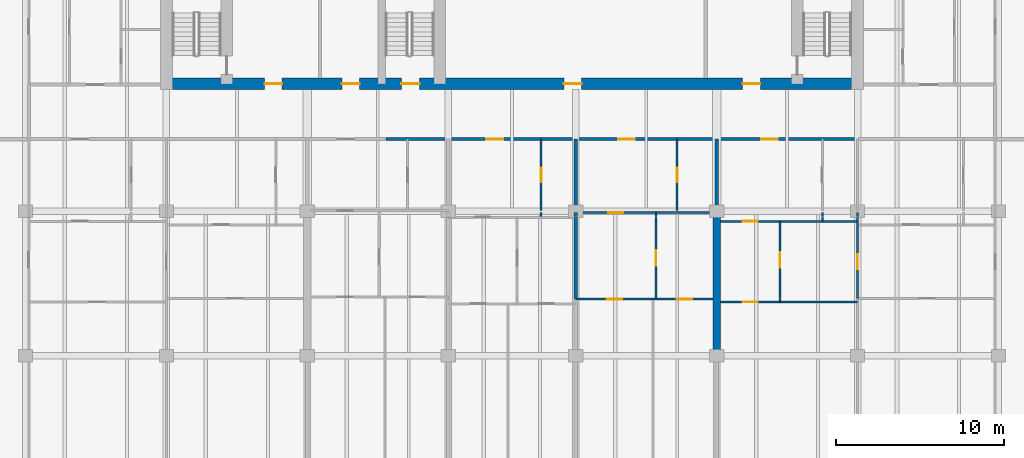
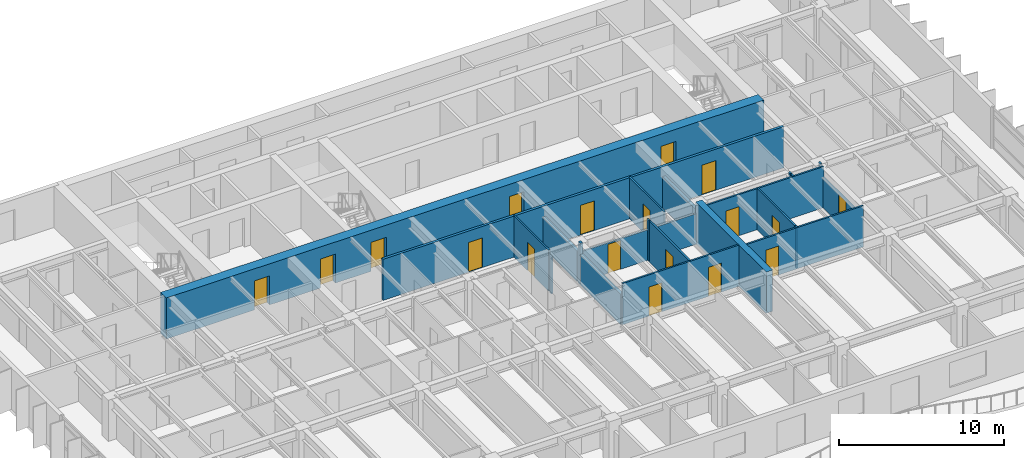
# One storey, part 11 of 19: 22 walls, 18 doors, 18 openings.
"""IFC4 building model written with IfcOpenShell, lengths in metres."""

import ifcopenshell
import ifcopenshell.guid

model = None  # the IFC model being written
_history = None  # IfcOwnerHistory: only IFC2X3 demands one
_inside = {}  # id of a spatial element -> (the spatial element, [elements in it])
_under = {}  # id of a project, library or spatial element -> (it, [spatial elements below it])
_declared = {}  # id of a project -> (the project, [libraries it declares])
_typed = {}  # id of a type object -> (the type object, [elements of that type])
_made_of = {}  # id of a material, layer set ... -> (it, [elements and type objects made of it])


def new_model(schema):
    """Start an empty IFC model of exactly this schema.

    Asked for "IFC4X3", IfcOpenShell would pick the latest addendum, in which some entities
    have other attributes; the version numbers below select the first issue.
    IFC2X3 requires an IfcOwnerHistory on every rooted entity: one is made here for all.
    """
    global model, _history
    if schema == "IFC4X3":
        model = ifcopenshell.file(schema_version=(4, 3, 0, 0))
    else:
        model = ifcopenshell.file(schema=schema)
    _inside.clear()
    _under.clear()
    _declared.clear()
    _typed.clear()
    _made_of.clear()
    _history = None
    if model.schema == "IFC2X3":
        org = make("IfcOrganization", Name="unknown")
        user = make(
            "IfcPersonAndOrganization",
            ThePerson=make("IfcPerson", FamilyName="unknown"),
            TheOrganization=org,
        )
        app = make(
            "IfcApplication",
            ApplicationDeveloper=org,
            Version="unknown",
            ApplicationFullName="unknown",
            ApplicationIdentifier="unknown",
        )
        _history = make(
            "IfcOwnerHistory",
            OwningUser=user,
            OwningApplication=app,
            ChangeAction="ADDED",
            CreationDate=0,
        )
    return model


def make(cls, **values):
    """One entity of the class cls with the attributes given. An attribute that is None is left unset."""
    return model.create_entity(
        cls, **{name: value for name, value in values.items() if value is not None}
    )


def rooted(cls, **values):
    """An entity with a GlobalId (a new one), such as an element, a storey or a relation."""
    return make(cls, GlobalId=ifcopenshell.guid.new(), OwnerHistory=_history, **values)


def si_unit(unit_type, name, prefix=None):
    """IfcSIUnit, for example si_unit("LENGTHUNIT", "METRE", prefix="MILLI")."""
    return make("IfcSIUnit", UnitType=unit_type, Prefix=prefix, Name=name)


def assignment(units):
    """IfcUnitAssignment: the units of a project."""
    return None if units is None else make("IfcUnitAssignment", Units=units)


def point(xyz):
    """IfcCartesianPoint."""
    return None if xyz is None else make("IfcCartesianPoint", Coordinates=xyz)


def direction(xyz):
    """IfcDirection."""
    return None if xyz is None else make("IfcDirection", DirectionRatios=xyz)


def frame(location, z_axis=None, x_axis=None):
    """IfcAxis2Placement3D, a coordinate frame: its origin and axes. An axis left out is left unset."""
    return make(
        "IfcAxis2Placement3D",
        Location=point(location),
        Axis=direction(z_axis),
        RefDirection=direction(x_axis),
    )


def frame_2d(location, x_axis=None):
    """IfcAxis2Placement2D, a coordinate frame in the plane: its origin and x axis."""
    return make(
        "IfcAxis2Placement2D", Location=point(location), RefDirection=direction(x_axis)
    )


def origin():
    """The frame at (0, 0, 0) with its axes left unset."""
    return frame((0.0, 0.0, 0.0))


def place(relative_to, where):
    """IfcLocalPlacement: puts the frame where relative to a parent placement (None: the world)."""
    return make(
        "IfcLocalPlacement", PlacementRelTo=relative_to, RelativePlacement=where
    )


def context(
    kind, dimensions, precision=None, world=None, true_north=None, identifier=None
):
    """IfcGeometricRepresentationContext, for example the 3D "Model" context."""
    return make(
        "IfcGeometricRepresentationContext",
        ContextIdentifier=identifier,
        ContextType=kind,
        CoordinateSpaceDimension=dimensions,
        Precision=precision,
        WorldCoordinateSystem=world,
        TrueNorth=true_north,
    )


def subcontext(parent, identifier, kind, view, scale=None):
    """IfcGeometricRepresentationSubContext, for example "Body" below "Model"."""
    return make(
        "IfcGeometricRepresentationSubContext",
        ContextIdentifier=identifier,
        ContextType=kind,
        ParentContext=parent,
        TargetScale=scale,
        TargetView=view,
    )


def project(units=None, contexts=None):
    """IfcProject with its units and contexts."""
    return rooted(
        "IfcProject",
        Name="project",
        RepresentationContexts=contexts,
        UnitsInContext=assignment(units),
    )


def spatial(cls, under=None, at=None, **own):
    """A site, building, storey or space (cls), placed at a placement, below another one or the project."""
    s = rooted(cls, ObjectPlacement=at, **own)
    if under is not None:
        _under.setdefault(under.id(), (under, []))[1].append(s)
    return s


def profile(cls, at=None, kind="AREA", **sizes):
    """A parametric profile (cls). Its sizes go by their IFC names, for example OverallWidth=200.0."""
    return make(cls, ProfileType=kind, Position=at, **sizes)


def rectangle(**sizes):
    """IfcRectangleProfileDef."""
    return profile("IfcRectangleProfileDef", **sizes)


def extrude(swept, where, along, depth):
    """IfcExtrudedAreaSolid: the profile swept, set in the frame where, extruded along a direction by depth."""
    return make(
        "IfcExtrudedAreaSolid",
        SweptArea=swept,
        Position=where,
        ExtrudedDirection=direction(along),
        Depth=depth,
    )


def shape(context_of_items, identifier, shape_type, items):
    """IfcShapeRepresentation: the items that make up one representation, for example the "Body"."""
    return make(
        "IfcShapeRepresentation",
        ContextOfItems=context_of_items,
        RepresentationIdentifier=identifier,
        RepresentationType=shape_type,
        Items=items,
    )


def material(Name=None, Category=None):
    """IfcMaterial."""
    return make("IfcMaterial", Name=Name, Category=Category)


def layer(
    of_material, thickness, ventilated=None, Name=None, Category=None, Priority=None
):
    """IfcMaterialLayer: one layer of a wall or slab, of a material (None: an air gap)."""
    return make(
        "IfcMaterialLayer",
        Material=of_material,
        LayerThickness=thickness,
        IsVentilated=ventilated,
        Name=Name,
        Category=Category,
        Priority=Priority,
    )


def layer_set(layers, Name=None):
    """IfcMaterialLayerSet."""
    return make("IfcMaterialLayerSet", MaterialLayers=layers, LayerSetName=Name)


def made_of(thing, what):
    """Note that an element or type object is made of a material, layer set ...; save() writes the relation."""
    if what is not None:
        _made_of.setdefault(what.id(), (what, []))[1].append(thing)
    return thing


def type_object(cls, material=None, **own):
    """A type object (cls), such as IfcWallType, which elements share."""
    return made_of(rooted(cls, **own), material)


def element(
    cls,
    number,
    at=None,
    inside=None,
    cuts=None,
    type_object=None,
    material=None,
    context=None,
    identifier="Body",
    shape_type=None,
    held_by="IfcProductDefinitionShape",
    body=None,
    shapes=None,
    **own,
):
    """One element of the class cls, such as IfcWall. Its Tag is "e" and its number.

    at: its placement. inside: the storey or other place that contains it. cuts: it is an
    opening in that element (IfcRelVoidsElement). A single representation is given by context,
    identifier, shape_type and body (its items); several are given by shapes. held_by: the class
    of the entity that holds the representations. save() writes the other relations.
    """
    e = rooted(cls, Tag="e%d" % number, ObjectPlacement=at, **own)
    if body is not None:
        shapes = [shape(context, identifier, shape_type, body)]
    if shapes is not None:
        e.Representation = make(held_by, Representations=shapes)
    if inside is not None:
        _inside.setdefault(inside.id(), (inside, []))[1].append(e)
    if cuts is not None:
        rooted(
            "IfcRelVoidsElement", RelatingBuildingElement=cuts, RelatedOpeningElement=e
        )
    if type_object is not None:
        _typed.setdefault(type_object.id(), (type_object, []))[1].append(e)
    return made_of(e, material)


def fill(opening, filler):
    """IfcRelFillsElement: the door or window that sits in an opening."""
    return rooted(
        "IfcRelFillsElement",
        RelatingOpeningElement=opening,
        RelatedBuildingElement=filler,
    )


def aggregate(whole, parts):
    """IfcRelAggregates: a whole, such as a stair, and the parts it consists of."""
    return rooted("IfcRelAggregates", RelatingObject=whole, RelatedObjects=parts)


def save(model, path):
    """Write the relations noted so far, then the file.

    IfcRelAggregates (storeys below a building ...), IfcRelContainedInSpatialStructure (elements
    in a storey), IfcRelDefinesByType, IfcRelAssociatesMaterial and IfcRelDeclares: one each for
    every whole, place, type object, material and project.
    """
    for whole, parts in _under.values():
        aggregate(whole, parts)
    for where, things in _inside.values():
        rooted(
            "IfcRelContainedInSpatialStructure",
            RelatedElements=things,
            RelatingStructure=where,
        )
    for kind, things in _typed.values():
        rooted("IfcRelDefinesByType", RelatedObjects=things, RelatingType=kind)
    for what, things in _made_of.values():
        rooted("IfcRelAssociatesMaterial", RelatedObjects=things, RelatingMaterial=what)
    for by, libraries in _declared.values():
        rooted("IfcRelDeclares", RelatingContext=by, RelatedDefinitions=libraries)
    model.write(path)


model = new_model("IFC4")

# Units and contexts
model_context = context("Model", 3, precision=1e-05, world=origin(), true_north=direction((0.0, 1.0)))
body_context = subcontext(model_context, "Body", "Model", "MODEL_VIEW")
ifc_project = project(units=[si_unit("LENGTHUNIT", "METRE"), si_unit("AREAUNIT", "SQUARE_METRE"), si_unit("VOLUMEUNIT", "CUBIC_METRE"), si_unit("PLANEANGLEUNIT", "RADIAN"), si_unit("MASSUNIT", "GRAM", prefix="KILO")], contexts=[model_context])

# Site, building, storey
site_placement = place(None, origin())
site = spatial("IfcSite", under=ifc_project, at=site_placement, CompositionType="ELEMENT")
building_placement = place(site_placement, origin())
building = spatial("IfcBuilding", under=site, at=building_placement, Name="Caelmar Bay Residences", CompositionType="ELEMENT")
storey_placement = place(building_placement, frame((0.0, 0.0, 167.10009765625)))
storey = spatial("IfcBuildingStorey", under=building, at=storey_placement, Name="L46", CompositionType="ELEMENT", Elevation=167.10009765625)

# Wall, openings, doors
ifc_material_1 = material(Name="Concrete f'c 55 MPa (8,000 psi)", Category="concrete")
ifc_layer_1 = layer(ifc_material_1, 0.699951171875)
ifc_layer_set_1 = layer_set([ifc_layer_1], Name="Concrete f'c 55 MPa (8,000 psi)")
wall_type_1 = type_object("IfcWallType", Name="SW-COR-700", PredefinedType="SHEAR", material=ifc_layer_set_1)
wall_1_placement = place(storey_placement, frame((17.949951171875, 37.0, 0.0), z_axis=(0.0, 0.0, 1.0), x_axis=(1.0, 0.0, 0.0)))
wall_1 = element("IfcWall", 1, at=wall_1_placement, inside=storey, type_object=wall_type_1, Name="L46 Rear Core South Shear Wall", PredefinedType="SHEAR", context=body_context, shape_type="SweptSolid", body=[
    extrude(rectangle(XDim=41.900146484375, YDim=0.699951171875, at=frame_2d((20.9501953125, 0.0))), origin(), (0.0, 0.0, 1.0), 3.0498046875),
])
opening_1_placement = place(wall_1_placement, frame((14.35009765625, 0.0, 0.0)))
opening_1 = element("IfcOpeningElement", 2, at=opening_1_placement, cuts=wall_1, Name="Opening D-L46-105", PredefinedType="OPENING", context=body_context, shape_type="SweptSolid", body=[
    extrude(rectangle(XDim=1.10009765625, YDim=2.14990234375, at=frame_2d((0.550048828125, 1.074951171875))), frame((0.0, 0.35986328125, 0.0), z_axis=(0.0, -1.0, 0.0), x_axis=(1.0, 0.0, 0.0)), (0.0, 0.0, 1.0), 0.719970703125),
])
opening_2_placement = place(wall_1_placement, frame((6.199951171875, 0.0, 0.0)))
opening_2 = element("IfcOpeningElement", 3, at=opening_2_placement, cuts=wall_1, Name="Opening D-L46-106", PredefinedType="OPENING", context=body_context, shape_type="SweptSolid", body=[
    extrude(rectangle(XDim=1.050048828125, YDim=2.14990234375, at=frame_2d((0.52490234375, 1.074951171875))), frame((0.0, 0.35986328125, 0.0), z_axis=(0.0, -1.0, 0.0), x_axis=(1.0, 0.0, 0.0)), (0.0, 0.0, 1.0), 0.719970703125),
])
opening_3_placement = place(wall_1_placement, frame((34.699951171875, 0.0, 0.0)))
opening_3 = element("IfcOpeningElement", 4, at=opening_3_placement, cuts=wall_1, Name="Opening D-L46-109", PredefinedType="OPENING", context=body_context, shape_type="SweptSolid", body=[
    extrude(rectangle(XDim=1.050048828125, YDim=2.14990234375, at=frame_2d((0.52490234375, 1.074951171875))), frame((0.0, 0.35986328125, 0.0), z_axis=(0.0, -1.0, 0.0), x_axis=(1.0, 0.0, 0.0)), (0.0, 0.0, 1.0), 0.719970703125),
])
opening_4_placement = place(wall_1_placement, frame((10.8125, 0.0, 0.0)))
opening_4 = element("IfcOpeningElement", 5, at=opening_4_placement, cuts=wall_1, Name="Opening D-L46-112", PredefinedType="OPENING", context=body_context, shape_type="SweptSolid", body=[
    extrude(rectangle(XDim=1.050048828125, YDim=2.14990234375, at=frame_2d((0.52490234375, 1.074951171875))), frame((0.0, 0.35986328125, 0.0), z_axis=(0.0, -1.0, 0.0), x_axis=(1.0, 0.0, 0.0)), (0.0, 0.0, 1.0), 0.719970703125),
])
opening_5_placement = place(wall_1_placement, frame((24.050048828125, 0.0, 0.0)))
opening_5 = element("IfcOpeningElement", 6, at=opening_5_placement, cuts=wall_1, Name="Opening D-L46-113", PredefinedType="OPENING", context=body_context, shape_type="SweptSolid", body=[
    extrude(rectangle(XDim=1.050048828125, YDim=2.14990234375, at=frame_2d((0.52490234375, 1.074951171875))), frame((0.0, 0.35986328125, 0.0), z_axis=(0.0, -1.0, 0.0), x_axis=(1.0, 0.0, 0.0)), (0.0, 0.0, 1.0), 0.719970703125),
])
ifc_material_2 = material(Name="Fire-rated steel and walnut architectural door assembly", Category="steel")
ifc_layer_2 = layer(ifc_material_2, 0.050048828125)
ifc_layer_set_2 = layer_set([ifc_layer_2], Name="Fire-rated steel and walnut architectural door assembly")
door_type_1 = type_object("IfcDoorType", Name="D-FSAE-1050", OperationType="NOTDEFINED", PredefinedType="DOOR", material=ifc_layer_set_2)
door_1_placement = place(opening_2_placement, origin())
door_1 = element("IfcDoor", 7, at=door_1_placement, inside=storey, type_object=door_type_1, Name="L46 Firefighting Lobby West Door", OperationType="SINGLE_SWING_LEFT", OverallHeight=2.14990234375, OverallWidth=1.050048828125, PredefinedType="DOOR", context=body_context, shape_type="SweptSolid", body=[
    extrude(rectangle(XDim=1.050048828125, YDim=2.14990234375, at=frame_2d((0.52490234375, 1.074951171875))), frame((0.0, 0.02490234375, 0.0), z_axis=(0.0, -1.0, 0.0), x_axis=(1.0, 0.0, 0.0)), (0.0, 0.0, 1.0), 0.050048828125),
])
fill(opening_2, door_1)
door_2_placement = place(opening_3_placement, origin())
door_2 = element("IfcDoor", 8, at=door_2_placement, inside=storey, type_object=door_type_1, Name="L46 Firefighting Lobby East Door", OperationType="SINGLE_SWING_RIGHT", OverallHeight=2.14990234375, OverallWidth=1.050048828125, PredefinedType="DOOR", context=body_context, shape_type="SweptSolid", body=[
    extrude(rectangle(XDim=1.050048828125, YDim=2.14990234375, at=frame_2d((0.52490234375, 1.074951171875))), frame((0.0, 0.02490234375, 0.0), z_axis=(0.0, -1.0, 0.0), x_axis=(1.0, 0.0, 0.0)), (0.0, 0.0, 1.0), 0.050048828125),
])
fill(opening_3, door_2)
door_3_placement = place(opening_4_placement, origin())
door_3 = element("IfcDoor", 9, at=door_3_placement, inside=storey, type_object=door_type_1, Name="L46 West Lift Lobby Door", OperationType="SINGLE_SWING_LEFT", OverallHeight=2.14990234375, OverallWidth=1.050048828125, PredefinedType="DOOR", context=body_context, shape_type="SweptSolid", body=[
    extrude(rectangle(XDim=1.050048828125, YDim=2.14990234375, at=frame_2d((0.52490234375, 1.074951171875))), frame((0.0, 0.02490234375, 0.0), z_axis=(0.0, -1.0, 0.0), x_axis=(1.0, 0.0, 0.0)), (0.0, 0.0, 1.0), 0.050048828125),
])
fill(opening_4, door_3)
door_4_placement = place(opening_5_placement, origin())
door_4 = element("IfcDoor", 10, at=door_4_placement, inside=storey, type_object=door_type_1, Name="L46 Passenger Lift Lobby Door", OperationType="SINGLE_SWING_RIGHT", OverallHeight=2.14990234375, OverallWidth=1.050048828125, PredefinedType="DOOR", context=body_context, shape_type="SweptSolid", body=[
    extrude(rectangle(XDim=1.050048828125, YDim=2.14990234375, at=frame_2d((0.52490234375, 1.074951171875))), frame((0.0, 0.02490234375, 0.0), z_axis=(0.0, -1.0, 0.0), x_axis=(1.0, 0.0, 0.0)), (0.0, 0.0, 1.0), 0.050048828125),
])
fill(opening_5, door_4)
ifc_layer_3 = layer(ifc_material_2, 0.050048828125)
ifc_layer_set_3 = layer_set([ifc_layer_3], Name="Fire-rated steel and walnut architectural door assembly")
door_type_2 = type_object("IfcDoorType", Name="D-STAIR-1100", OperationType="NOTDEFINED", PredefinedType="DOOR", material=ifc_layer_set_3)
door_5_placement = place(opening_1_placement, origin())
door_5 = element("IfcDoor", 11, at=door_5_placement, inside=storey, type_object=door_type_2, Name="L46 Exit Stair ST3 Door", OperationType="SINGLE_SWING_RIGHT", OverallHeight=2.14990234375, OverallWidth=1.10009765625, PredefinedType="DOOR", context=body_context, shape_type="SweptSolid", body=[
    extrude(rectangle(XDim=1.10009765625, YDim=2.14990234375, at=frame_2d((0.550048828125, 1.074951171875))), frame((0.0, 0.02490234375, 0.0), z_axis=(0.0, -1.0, 0.0), x_axis=(1.0, 0.0, 0.0)), (0.0, 0.0, 1.0), 0.050048828125),
])
fill(opening_1, door_5)

# Wall
ifc_layer_4 = layer(ifc_material_1, 0.449951171875)
ifc_layer_set_4 = layer_set([ifc_layer_4], Name="Concrete f'c 55 MPa (8,000 psi)")
wall_type_2 = type_object("IfcWallType", Name="SW-XSLB-450", PredefinedType="SHEAR", material=ifc_layer_set_4)
wall_2_placement = place(storey_placement, frame((51.10009765625, 20.800048828125, 0.0), z_axis=(0.0, 0.0, 1.0), x_axis=(0.0, 1.0, 0.0)))
element("IfcWall", 12, at=wall_2_placement, inside=storey, type_object=wall_type_2, Name="L46 Transverse Cross-Slab Shear Wall E8", PredefinedType="SHEAR", context=body_context, shape_type="SweptSolid", body=[
    extrude(rectangle(XDim=8.599853515625, YDim=0.449951171875, at=frame_2d((4.2998046875, 0.0))), origin(), (0.0, 0.0, 1.0), 3.0498046875),
])

# Wall, openings, doors
ifc_material_3 = material(Name="Double-stud acoustic fire-rated gypsum partition 180 mm")
ifc_layer_5 = layer(ifc_material_3, 0.179931640625)
ifc_layer_set_5 = layer_set([ifc_layer_5], Name="Double-stud acoustic fire-rated gypsum partition 180 mm")
wall_type_3 = type_object("IfcWallType", Name="W-COR-200", PredefinedType="PARTITIONING", material=ifc_layer_set_5)
wall_3_placement = place(storey_placement, frame((31.39990234375, 33.699951171875, 0.0), z_axis=(0.0, 0.0, 1.0), x_axis=(1.0, 0.0, 0.0)))
wall_3 = element("IfcWall", 13, at=wall_3_placement, inside=storey, type_object=wall_type_3, Name="L46 Partition Wall H117", PredefinedType="PARTITIONING", context=body_context, shape_type="SweptSolid", body=[
    extrude(rectangle(XDim=28.10009765625, YDim=0.179931640625, at=frame_2d((14.050048828125, 0.0))), origin(), (0.0, 0.0, 1.0), 3.0498046875),
])
opening_6_placement = place(wall_3_placement, frame((5.969970703125, 0.0, 0.0)))
opening_6 = element("IfcOpeningElement", 14, at=opening_6_placement, cuts=wall_3, Name="Opening D-L46-139", PredefinedType="OPENING", context=body_context, shape_type="SweptSolid", body=[
    extrude(rectangle(XDim=1.0, YDim=2.199951171875, at=frame_2d((0.5, 1.10009765625))), frame((0.0, 0.099853515625, 0.0), z_axis=(0.0, -1.0, 0.0), x_axis=(1.0, 0.0, 0.0)), (0.0, 0.0, 1.0), 0.199951171875),
])
opening_7_placement = place(wall_3_placement, frame((13.823974609375, 0.0, 0.0)))
opening_7 = element("IfcOpeningElement", 15, at=opening_7_placement, cuts=wall_3, Name="Opening D-L46-146", PredefinedType="OPENING", context=body_context, shape_type="SweptSolid", body=[
    extrude(rectangle(XDim=1.0, YDim=2.199951171875, at=frame_2d((0.5, 1.10009765625))), frame((0.0, 0.099853515625, 0.0), z_axis=(0.0, -1.0, 0.0), x_axis=(1.0, 0.0, 0.0)), (0.0, 0.0, 1.0), 0.199951171875),
])
opening_8_placement = place(wall_3_placement, frame((22.34912109375, 0.0, 0.0)))
opening_8 = element("IfcOpeningElement", 16, at=opening_8_placement, cuts=wall_3, Name="Opening D-L46-153", PredefinedType="OPENING", context=body_context, shape_type="SweptSolid", body=[
    extrude(rectangle(XDim=1.0, YDim=2.199951171875, at=frame_2d((0.5, 1.10009765625))), frame((0.0, 0.099853515625, 0.0), z_axis=(0.0, -1.0, 0.0), x_axis=(1.0, 0.0, 0.0)), (0.0, 0.0, 1.0), 0.199951171875),
])
ifc_layer_6 = layer(ifc_material_2, 0.050048828125)
ifc_layer_set_6 = layer_set([ifc_layer_6], Name="Fire-rated steel and walnut architectural door assembly")
door_type_3 = type_object("IfcDoorType", Name="D-UNIT-1000", OperationType="NOTDEFINED", PredefinedType="DOOR", material=ifc_layer_set_6)
door_6_placement = place(opening_6_placement, origin())
door_6 = element("IfcDoor", 17, at=door_6_placement, inside=storey, type_object=door_type_3, Name="L46 Residence 03 Apartment Hall Door", OperationType="SINGLE_SWING_RIGHT", OverallHeight=2.199951171875, OverallWidth=1.0, PredefinedType="DOOR", context=body_context, shape_type="SweptSolid", body=[
    extrude(rectangle(XDim=1.0, YDim=2.199951171875, at=frame_2d((0.5, 1.10009765625))), frame((0.0, 0.02490234375, 0.0), z_axis=(0.0, -1.0, 0.0), x_axis=(1.0, 0.0, 0.0)), (0.0, 0.0, 1.0), 0.050048828125),
])
fill(opening_6, door_6)
door_7_placement = place(opening_7_placement, origin())
door_7 = element("IfcDoor", 18, at=door_7_placement, inside=storey, type_object=door_type_3, Name="L46 Residence 04 Apartment Hall Door", OperationType="SINGLE_SWING_LEFT", OverallHeight=2.199951171875, OverallWidth=1.0, PredefinedType="DOOR", context=body_context, shape_type="SweptSolid", body=[
    extrude(rectangle(XDim=1.0, YDim=2.199951171875, at=frame_2d((0.5, 1.10009765625))), frame((0.0, 0.02490234375, 0.0), z_axis=(0.0, -1.0, 0.0), x_axis=(1.0, 0.0, 0.0)), (0.0, 0.0, 1.0), 0.050048828125),
])
fill(opening_7, door_7)
door_8_placement = place(opening_8_placement, origin())
door_8 = element("IfcDoor", 19, at=door_8_placement, inside=storey, type_object=door_type_3, Name="L46 Residence 05 Apartment Hall Door", OperationType="SINGLE_SWING_RIGHT", OverallHeight=2.199951171875, OverallWidth=1.0, PredefinedType="DOOR", context=body_context, shape_type="SweptSolid", body=[
    extrude(rectangle(XDim=1.0, YDim=2.199951171875, at=frame_2d((0.5, 1.10009765625))), frame((0.0, 0.02490234375, 0.0), z_axis=(0.0, -1.0, 0.0), x_axis=(1.0, 0.0, 0.0)), (0.0, 0.0, 1.0), 0.050048828125),
])
fill(opening_8, door_8)

# Wall
ifc_material_4 = material(Name="Acoustic metal-stud gypsum partition 120 mm")
ifc_layer_7 = layer(ifc_material_4, 0.1201171875)
ifc_layer_set_7 = layer_set([ifc_layer_7], Name="Acoustic metal-stud gypsum partition 120 mm")
wall_type_4 = type_object("IfcWallType", Name="W-PRT-120", PredefinedType="PARTITIONING", material=ifc_layer_set_7)
wall_4_placement = place(storey_placement, frame((40.639892578125, 29.10009765625, 0.0), z_axis=(0.0, 0.0, 1.0), x_axis=(0.0, 1.0, 0.0)))
element("IfcWall", 20, at=wall_4_placement, inside=storey, type_object=wall_type_4, Name="L46 Partition Wall V046", PredefinedType="PARTITIONING", context=body_context, shape_type="SweptSolid", body=[
    extrude(rectangle(XDim=0.219970703125, YDim=0.1201171875, at=frame_2d((0.10986328125, 0.0))), origin(), (0.0, 0.0, 1.0), 2.724853515625),
])

# Wall, opening, door
wall_5_placement = place(storey_placement, frame((40.639892578125, 29.43994140625, 0.0), z_axis=(0.0, 0.0, 1.0), x_axis=(0.0, 1.0, 0.0)))
wall_5 = element("IfcWall", 21, at=wall_5_placement, inside=storey, type_object=wall_type_4, Name="L46 Partition Wall V047", PredefinedType="PARTITIONING", context=body_context, shape_type="SweptSolid", body=[
    extrude(rectangle(XDim=4.260009765625, YDim=0.1201171875, at=frame_2d((2.1298828125, 0.0))), origin(), (0.0, 0.0, 1.0), 3.0498046875),
])
opening_9_placement = place(wall_5_placement, frame((1.705078125, 0.0, 0.0)))
opening_9 = element("IfcOpeningElement", 22, at=opening_9_placement, cuts=wall_5, Name="Opening D-L46-140", PredefinedType="OPENING", context=body_context, shape_type="SweptSolid", body=[
    extrude(rectangle(XDim=0.85009765625, YDim=2.10009765625, at=frame_2d((0.425048828125, 1.050048828125))), frame((0.0, 0.070068359375, 0.0), z_axis=(0.0, -1.0, 0.0), x_axis=(1.0, 0.0, 0.0)), (0.0, 0.0, 1.0), 0.14013671875),
])
ifc_material_5 = material(Name="Solid walnut timber interior door leaf and frame", Category="wood")
ifc_layer_8 = layer(ifc_material_5, 0.050048828125)
ifc_layer_set_8 = layer_set([ifc_layer_8], Name="Solid walnut timber interior door leaf and frame")
door_type_4 = type_object("IfcDoorType", Name="D-BATH-850", OperationType="NOTDEFINED", PredefinedType="DOOR", material=ifc_layer_set_8)
door_9_placement = place(opening_9_placement, origin())
door_9 = element("IfcDoor", 23, at=door_9_placement, inside=storey, type_object=door_type_4, Name="L46 Residence 03 Bathroom Door", OperationType="SINGLE_SWING_LEFT", OverallHeight=2.10009765625, OverallWidth=0.85009765625, PredefinedType="DOOR", context=body_context, shape_type="SweptSolid", body=[
    extrude(rectangle(XDim=0.85009765625, YDim=2.10009765625, at=frame_2d((0.425048828125, 1.050048828125))), frame((0.0, 0.02490234375, 0.0), z_axis=(0.0, -1.0, 0.0), x_axis=(1.0, 0.0, 0.0)), (0.0, 0.0, 1.0), 0.050048828125),
])
fill(opening_9, door_9)

wall_6_placement = place(storey_placement, frame((47.486083984375, 24.199951171875, 0.0), z_axis=(0.0, 0.0, 1.0), x_axis=(0.0, 1.0, 0.0)))
wall_6 = element("IfcWall", 24, at=wall_6_placement, inside=storey, type_object=wall_type_4, Name="L46 Partition Wall V058", PredefinedType="PARTITIONING", context=body_context, shape_type="SweptSolid", body=[
    extrude(rectangle(XDim=4.840087890625, YDim=0.1201171875, at=frame_2d((2.419921875, 0.0))), origin(), (0.0, 0.0, 1.0), 3.0498046875),
])
opening_10_placement = place(wall_6_placement, frame((1.969970703125, 0.0, 0.0)))
opening_10 = element("IfcOpeningElement", 25, at=opening_10_placement, cuts=wall_6, Name="Opening D-L46-149", PredefinedType="OPENING", context=body_context, shape_type="SweptSolid", body=[
    extrude(rectangle(XDim=0.89990234375, YDim=2.14990234375, at=frame_2d((0.449951171875, 1.074951171875))), frame((0.0, 0.070068359375, 0.0), z_axis=(0.0, -1.0, 0.0), x_axis=(1.0, 0.0, 0.0)), (0.0, 0.0, 1.0), 0.14013671875),
])
ifc_layer_9 = layer(ifc_material_5, 0.050048828125)
ifc_layer_set_9 = layer_set([ifc_layer_9], Name="Solid walnut timber interior door leaf and frame")
door_type_5 = type_object("IfcDoorType", Name="D-ROOM-900", OperationType="NOTDEFINED", PredefinedType="DOOR", material=ifc_layer_set_9)
door_10_placement = place(opening_10_placement, origin())
door_10 = element("IfcDoor", 26, at=door_10_placement, inside=storey, type_object=door_type_5, Name="L46 Residence 04 Home Office Door", OperationType="SINGLE_SWING_RIGHT", OverallHeight=2.14990234375, OverallWidth=0.89990234375, PredefinedType="DOOR", context=body_context, shape_type="SweptSolid", body=[
    extrude(rectangle(XDim=0.89990234375, YDim=2.14990234375, at=frame_2d((0.449951171875, 1.074951171875))), frame((0.0, 0.02490234375, 0.0), z_axis=(0.0, -1.0, 0.0), x_axis=(1.0, 0.0, 0.0)), (0.0, 0.0, 1.0), 0.050048828125),
])
fill(opening_10, door_10)

# Wall
wall_7_placement = place(storey_placement, frame((47.486083984375, 29.10009765625, 0.0), z_axis=(0.0, 0.0, 1.0), x_axis=(0.0, 1.0, 0.0)))
element("IfcWall", 27, at=wall_7_placement, inside=storey, type_object=wall_type_4, Name="L46 Partition Wall V059", PredefinedType="PARTITIONING", context=body_context, shape_type="SweptSolid", body=[
    extrude(rectangle(XDim=0.219970703125, YDim=0.1201171875, at=frame_2d((0.10986328125, 0.0))), origin(), (0.0, 0.0, 1.0), 3.0498046875),
])

# Wall, opening, door
wall_8_placement = place(storey_placement, frame((48.748046875, 29.43994140625, 0.0), z_axis=(0.0, 0.0, 1.0), x_axis=(0.0, 1.0, 0.0)))
wall_8 = element("IfcWall", 28, at=wall_8_placement, inside=storey, type_object=wall_type_4, Name="L46 Partition Wall V061", PredefinedType="PARTITIONING", context=body_context, shape_type="SweptSolid", body=[
    extrude(rectangle(XDim=4.260009765625, YDim=0.1201171875, at=frame_2d((2.1298828125, 0.0))), origin(), (0.0, 0.0, 1.0), 3.0498046875),
])
opening_11_placement = place(wall_8_placement, frame((1.705078125, 0.0, 0.0)))
opening_11 = element("IfcOpeningElement", 29, at=opening_11_placement, cuts=wall_8, Name="Opening D-L46-147", PredefinedType="OPENING", context=body_context, shape_type="SweptSolid", body=[
    extrude(rectangle(XDim=0.85009765625, YDim=2.10009765625, at=frame_2d((0.425048828125, 1.050048828125))), frame((0.0, 0.070068359375, 0.0), z_axis=(0.0, -1.0, 0.0), x_axis=(1.0, 0.0, 0.0)), (0.0, 0.0, 1.0), 0.14013671875),
])
door_11_placement = place(opening_11_placement, origin())
door_11 = element("IfcDoor", 30, at=door_11_placement, inside=storey, type_object=door_type_4, Name="L46 Residence 04 Bathroom Door", OperationType="SINGLE_SWING_RIGHT", OverallHeight=2.10009765625, OverallWidth=0.85009765625, PredefinedType="DOOR", context=body_context, shape_type="SweptSolid", body=[
    extrude(rectangle(XDim=0.85009765625, YDim=2.10009765625, at=frame_2d((0.425048828125, 1.050048828125))), frame((0.0, 0.02490234375, 0.0), z_axis=(0.0, -1.0, 0.0), x_axis=(1.0, 0.0, 0.0)), (0.0, 0.0, 1.0), 0.050048828125),
])
fill(opening_11, door_11)

# Wall
wall_9_placement = place(storey_placement, frame((54.8798828125, 24.0, 0.0), z_axis=(0.0, 0.0, 1.0), x_axis=(0.0, 1.0, 0.0)))
element("IfcWall", 31, at=wall_9_placement, inside=storey, type_object=wall_type_4, Name="L46 Partition Wall V069", PredefinedType="PARTITIONING", context=body_context, shape_type="SweptSolid", body=[
    extrude(rectangle(XDim=0.169921875, YDim=0.1201171875, at=frame_2d((0.0849609375, 0.0))), origin(), (0.0, 0.0, 1.0), 3.0498046875),
])

# Wall, opening, door
wall_10_placement = place(storey_placement, frame((54.8798828125, 24.199951171875, 0.0), z_axis=(0.0, 0.0, 1.0), x_axis=(0.0, 1.0, 0.0)))
wall_10 = element("IfcWall", 32, at=wall_10_placement, inside=storey, type_object=wall_type_4, Name="L46 Partition Wall V070", PredefinedType="PARTITIONING", context=body_context, shape_type="SweptSolid", body=[
    extrude(rectangle(XDim=4.60009765625, YDim=0.1201171875, at=frame_2d((2.300048828125, 0.0))), origin(), (0.0, 0.0, 1.0), 3.0498046875),
])
opening_12_placement = place(wall_10_placement, frame((1.85009765625, 0.0, 0.0)))
opening_12 = element("IfcOpeningElement", 33, at=opening_12_placement, cuts=wall_10, Name="Opening D-L46-156", PredefinedType="OPENING", context=body_context, shape_type="SweptSolid", body=[
    extrude(rectangle(XDim=0.89990234375, YDim=2.14990234375, at=frame_2d((0.449951171875, 1.074951171875))), frame((0.0, 0.070068359375, 0.0), z_axis=(0.0, -1.0, 0.0), x_axis=(1.0, 0.0, 0.0)), (0.0, 0.0, 1.0), 0.14013671875),
])
door_12_placement = place(opening_12_placement, origin())
door_12 = element("IfcDoor", 34, at=door_12_placement, inside=storey, type_object=door_type_5, Name="L46 Residence 05 Kitchen Door", OperationType="SINGLE_SWING_LEFT", OverallHeight=2.14990234375, OverallWidth=0.89990234375, PredefinedType="DOOR", context=body_context, shape_type="SweptSolid", body=[
    extrude(rectangle(XDim=0.89990234375, YDim=2.14990234375, at=frame_2d((0.449951171875, 1.074951171875))), frame((0.0, 0.02490234375, 0.0), z_axis=(0.0, -1.0, 0.0), x_axis=(1.0, 0.0, 0.0)), (0.0, 0.0, 1.0), 0.050048828125),
])
fill(opening_12, door_12)

# Walls
wall_11_placement = place(storey_placement, frame((57.39794921875, 28.800048828125, 0.0), z_axis=(0.0, 0.0, 1.0), x_axis=(0.0, 1.0, 0.0)))
element("IfcWall", 35, at=wall_11_placement, inside=storey, type_object=wall_type_4, Name="L46 Partition Wall V072", PredefinedType="PARTITIONING", context=body_context, shape_type="SweptSolid", body=[
    extrude(rectangle(XDim=0.239990234375, YDim=0.1201171875, at=frame_2d((0.1201171875, 0.0))), origin(), (0.0, 0.0, 1.0), 3.0498046875),
])
wall_12_placement = place(storey_placement, frame((57.39794921875, 29.10009765625, 0.0), z_axis=(0.0, 0.0, 1.0), x_axis=(0.0, 1.0, 0.0)))
element("IfcWall", 36, at=wall_12_placement, inside=storey, type_object=wall_type_4, Name="L46 Partition Wall V073", PredefinedType="PARTITIONING", context=body_context, shape_type="SweptSolid", body=[
    extrude(rectangle(XDim=0.219970703125, YDim=0.1201171875, at=frame_2d((0.10986328125, 0.0))), origin(), (0.0, 0.0, 1.0), 3.0498046875),
])

# Wall, opening, door
wall_13_placement = place(storey_placement, frame((59.5, 24.199951171875, 0.0), z_axis=(0.0, 0.0, 1.0), x_axis=(0.0, 1.0, 0.0)))
wall_13 = element("IfcWall", 37, at=wall_13_placement, inside=storey, type_object=wall_type_4, Name="L46 Partition Wall V077", PredefinedType="PARTITIONING", context=body_context, shape_type="SweptSolid", body=[
    extrude(rectangle(XDim=4.840087890625, YDim=0.1201171875, at=frame_2d((2.419921875, 0.0))), origin(), (0.0, 0.0, 1.0), 2.262939453125),
])
opening_13_placement = place(wall_13_placement, frame((1.75, 0.0, 0.0)))
opening_13 = element("IfcOpeningElement", 38, at=opening_13_placement, cuts=wall_13, Name="Opening D-L46-158", PredefinedType="OPENING", context=body_context, shape_type="SweptSolid", body=[
    extrude(rectangle(XDim=0.89990234375, YDim=2.14990234375, at=frame_2d((0.449951171875, 1.074951171875))), frame((0.0, 0.070068359375, 0.0), z_axis=(0.0, -1.0, 0.0), x_axis=(1.0, 0.0, 0.0)), (0.0, 0.0, 1.0), 0.14013671875),
])
door_13_placement = place(opening_13_placement, origin())
door_13 = element("IfcDoor", 39, at=door_13_placement, inside=storey, type_object=door_type_5, Name="L46 Residence 05 Library Study 1 Door", OperationType="SINGLE_SWING_LEFT", OverallHeight=2.14990234375, OverallWidth=0.89990234375, PredefinedType="DOOR", context=body_context, shape_type="SweptSolid", body=[
    extrude(rectangle(XDim=0.89990234375, YDim=2.14990234375, at=frame_2d((0.449951171875, 1.074951171875))), frame((0.0, 0.02490234375, 0.0), z_axis=(0.0, -1.0, 0.0), x_axis=(1.0, 0.0, 0.0)), (0.0, 0.0, 1.0), 0.050048828125),
])
fill(opening_13, door_13)

# Wall
wall_14_placement = place(storey_placement, frame((59.5, 29.10009765625, 0.0), z_axis=(0.0, 0.0, 1.0), x_axis=(0.0, 1.0, 0.0)))
element("IfcWall", 40, at=wall_14_placement, inside=storey, type_object=wall_type_4, Name="L46 Partition Wall V078", PredefinedType="PARTITIONING", context=body_context, shape_type="SweptSolid", body=[
    extrude(rectangle(XDim=0.219970703125, YDim=0.1201171875, at=frame_2d((0.10986328125, 0.0))), origin(), (0.0, 0.0, 1.0), 3.0498046875),
])

# Wall, opening, door
wall_15_placement = place(storey_placement, frame((51.320068359375, 24.0, 0.0), z_axis=(0.0, 0.0, 1.0), x_axis=(1.0, 0.0, 0.0)))
wall_15 = element("IfcWall", 41, at=wall_15_placement, inside=storey, type_object=wall_type_4, Name="L46 Partition Wall H099", PredefinedType="PARTITIONING", context=body_context, shape_type="SweptSolid", body=[
    extrude(rectangle(XDim=8.179931640625, YDim=0.1201171875, at=frame_2d((4.08984375, 0.0))), origin(), (0.0, 0.0, 1.0), 3.0498046875),
])
opening_14_placement = place(wall_15_placement, frame((1.330078125, 0.0, 0.0)))
opening_14 = element("IfcOpeningElement", 42, at=opening_14_placement, cuts=wall_15, Name="Opening D-L46-157", PredefinedType="OPENING", context=body_context, shape_type="SweptSolid", body=[
    extrude(rectangle(XDim=0.89990234375, YDim=2.14990234375, at=frame_2d((0.449951171875, 1.074951171875))), frame((0.0, 0.070068359375, 0.0), z_axis=(0.0, -1.0, 0.0), x_axis=(1.0, 0.0, 0.0)), (0.0, 0.0, 1.0), 0.14013671875),
])
door_14_placement = place(opening_14_placement, origin())
door_14 = element("IfcDoor", 43, at=door_14_placement, inside=storey, type_object=door_type_5, Name="L46 Residence 05 Penthouse Living Salon Door", OperationType="SINGLE_SWING_RIGHT", OverallHeight=2.14990234375, OverallWidth=0.89990234375, PredefinedType="DOOR", context=body_context, shape_type="SweptSolid", body=[
    extrude(rectangle(XDim=0.89990234375, YDim=2.14990234375, at=frame_2d((0.449951171875, 1.074951171875))), frame((0.0, 0.02490234375, 0.0), z_axis=(0.0, -1.0, 0.0), x_axis=(1.0, 0.0, 0.0)), (0.0, 0.0, 1.0), 0.050048828125),
])
fill(opening_14, door_14)

# Wall, openings, doors
wall_16_placement = place(storey_placement, frame((42.699951171875, 24.169921875, 0.0), z_axis=(0.0, 0.0, 1.0), x_axis=(1.0, 0.0, 0.0)))
wall_16 = element("IfcWall", 44, at=wall_16_placement, inside=storey, type_object=wall_type_4, Name="L46 Partition Wall H100", PredefinedType="PARTITIONING", context=body_context, shape_type="SweptSolid", body=[
    extrude(rectangle(XDim=8.179931640625, YDim=0.1201171875, at=frame_2d((4.08984375, 0.0))), origin(), (0.0, 0.0, 1.0), 3.0498046875),
])
opening_15_placement = place(wall_16_placement, frame((1.860107421875, 0.0, 0.0)))
opening_15 = element("IfcOpeningElement", 45, at=opening_15_placement, cuts=wall_16, Name="Opening D-L46-150", PredefinedType="OPENING", context=body_context, shape_type="SweptSolid", body=[
    extrude(rectangle(XDim=0.89990234375, YDim=2.14990234375, at=frame_2d((0.449951171875, 1.074951171875))), frame((0.0, 0.070068359375, 0.0), z_axis=(0.0, -1.0, 0.0), x_axis=(1.0, 0.0, 0.0)), (0.0, 0.0, 1.0), 0.14013671875),
])
opening_16_placement = place(wall_16_placement, frame((6.032958984375, 0.0, 0.0)))
opening_16 = element("IfcOpeningElement", 46, at=opening_16_placement, cuts=wall_16, Name="Opening D-L46-151", PredefinedType="OPENING", context=body_context, shape_type="SweptSolid", body=[
    extrude(rectangle(XDim=0.89990234375, YDim=2.14990234375, at=frame_2d((0.449951171875, 1.074951171875))), frame((0.0, 0.070068359375, 0.0), z_axis=(0.0, -1.0, 0.0), x_axis=(1.0, 0.0, 0.0)), (0.0, 0.0, 1.0), 0.14013671875),
])
door_15_placement = place(opening_15_placement, origin())
door_15 = element("IfcDoor", 47, at=door_15_placement, inside=storey, type_object=door_type_5, Name="L46 Residence 04 Living Room Door", OperationType="SINGLE_SWING_LEFT", OverallHeight=2.14990234375, OverallWidth=0.89990234375, PredefinedType="DOOR", context=body_context, shape_type="SweptSolid", body=[
    extrude(rectangle(XDim=0.89990234375, YDim=2.14990234375, at=frame_2d((0.449951171875, 1.074951171875))), frame((0.0, 0.02490234375, 0.0), z_axis=(0.0, -1.0, 0.0), x_axis=(1.0, 0.0, 0.0)), (0.0, 0.0, 1.0), 0.050048828125),
])
fill(opening_15, door_15)
door_16_placement = place(opening_16_placement, origin())
door_16 = element("IfcDoor", 48, at=door_16_placement, inside=storey, type_object=door_type_5, Name="L46 Residence 04 Penthouse Sitting Room Door", OperationType="SINGLE_SWING_RIGHT", OverallHeight=2.14990234375, OverallWidth=0.89990234375, PredefinedType="DOOR", context=body_context, shape_type="SweptSolid", body=[
    extrude(rectangle(XDim=0.89990234375, YDim=2.14990234375, at=frame_2d((0.449951171875, 1.074951171875))), frame((0.0, 0.02490234375, 0.0), z_axis=(0.0, -1.0, 0.0), x_axis=(1.0, 0.0, 0.0)), (0.0, 0.0, 1.0), 0.050048828125),
])
fill(opening_16, door_16)

# Wall, opening, door
wall_17_placement = place(storey_placement, frame((51.320068359375, 28.800048828125, 0.0), z_axis=(0.0, 0.0, 1.0), x_axis=(1.0, 0.0, 0.0)))
wall_17 = element("IfcWall", 49, at=wall_17_placement, inside=storey, type_object=wall_type_4, Name="L46 Partition Wall H108", PredefinedType="PARTITIONING", context=body_context, shape_type="SweptSolid", body=[
    extrude(rectangle(XDim=8.179931640625, YDim=0.1201171875, at=frame_2d((4.08984375, 0.0))), origin(), (0.0, 0.0, 1.0), 3.0498046875),
])
opening_17_placement = place(wall_17_placement, frame((1.330078125, 0.0, 0.0)))
opening_17 = element("IfcOpeningElement", 50, at=opening_17_placement, cuts=wall_17, Name="Opening D-L46-155", PredefinedType="OPENING", context=body_context, shape_type="SweptSolid", body=[
    extrude(rectangle(XDim=0.89990234375, YDim=2.14990234375, at=frame_2d((0.449951171875, 1.074951171875))), frame((0.0, 0.070068359375, 0.0), z_axis=(0.0, -1.0, 0.0), x_axis=(1.0, 0.0, 0.0)), (0.0, 0.0, 1.0), 0.14013671875),
])
door_17_placement = place(opening_17_placement, origin())
door_17 = element("IfcDoor", 51, at=door_17_placement, inside=storey, type_object=door_type_5, Name="L46 Residence 05 Dining Room Door", OperationType="SINGLE_SWING_RIGHT", OverallHeight=2.14990234375, OverallWidth=0.89990234375, PredefinedType="DOOR", context=body_context, shape_type="SweptSolid", body=[
    extrude(rectangle(XDim=0.89990234375, YDim=2.14990234375, at=frame_2d((0.449951171875, 1.074951171875))), frame((0.0, 0.02490234375, 0.0), z_axis=(0.0, -1.0, 0.0), x_axis=(1.0, 0.0, 0.0)), (0.0, 0.0, 1.0), 0.050048828125),
])
fill(opening_17, door_17)

wall_18_placement = place(storey_placement, frame((42.699951171875, 29.320068359375, 0.0), z_axis=(0.0, 0.0, 1.0), x_axis=(1.0, 0.0, 0.0)))
wall_18 = element("IfcWall", 52, at=wall_18_placement, inside=storey, type_object=wall_type_4, Name="L46 Partition Wall H110", PredefinedType="PARTITIONING", context=body_context, shape_type="SweptSolid", body=[
    extrude(rectangle(XDim=8.179931640625, YDim=0.1201171875, at=frame_2d((4.08984375, 0.0))), origin(), (0.0, 0.0, 1.0), 2.262939453125),
])
opening_18_placement = place(wall_18_placement, frame((1.943115234375, 0.0, 0.0)))
opening_18 = element("IfcOpeningElement", 53, at=opening_18_placement, cuts=wall_18, Name="Opening D-L46-148", PredefinedType="OPENING", context=body_context, shape_type="SweptSolid", body=[
    extrude(rectangle(XDim=0.89990234375, YDim=2.14990234375, at=frame_2d((0.449951171875, 1.074951171875))), frame((0.0, 0.070068359375, 0.0), z_axis=(0.0, -1.0, 0.0), x_axis=(1.0, 0.0, 0.0)), (0.0, 0.0, 1.0), 0.14013671875),
])
door_18_placement = place(opening_18_placement, origin())
door_18 = element("IfcDoor", 54, at=door_18_placement, inside=storey, type_object=door_type_5, Name="L46 Residence 04 Kitchen Door", OperationType="SINGLE_SWING_LEFT", OverallHeight=2.14990234375, OverallWidth=0.89990234375, PredefinedType="DOOR", context=body_context, shape_type="SweptSolid", body=[
    extrude(rectangle(XDim=0.89990234375, YDim=2.14990234375, at=frame_2d((0.449951171875, 1.074951171875))), frame((0.0, 0.02490234375, 0.0), z_axis=(0.0, -1.0, 0.0), x_axis=(1.0, 0.0, 0.0)), (0.0, 0.0, 1.0), 0.050048828125),
])
fill(opening_18, door_18)

# Walls
ifc_material_6 = material(Name="Acoustic twin-stud fire-rated inter-tenancy partition 200 mm")
ifc_layer_10 = layer(ifc_material_6, 0.199951171875)
ifc_layer_set_10 = layer_set([ifc_layer_10], Name="Acoustic twin-stud fire-rated inter-tenancy partition 200 mm")
wall_type_5 = type_object("IfcWallType", Name="W-PTY-200", PredefinedType="PARTITIONING", material=ifc_layer_set_10)
wall_19_placement = place(storey_placement, frame((42.699951171875, 24.199951171875, 0.0), z_axis=(0.0, 0.0, 1.0), x_axis=(0.0, 1.0, 0.0)))
element("IfcWall", 55, at=wall_19_placement, inside=storey, type_object=wall_type_5, Name="L46 Partition Wall V050", PredefinedType="PARTITIONING", context=body_context, shape_type="SweptSolid", body=[
    extrude(rectangle(XDim=4.840087890625, YDim=0.199951171875, at=frame_2d((2.419921875, 0.0))), origin(), (0.0, 0.0, 1.0), 2.262939453125),
])
wall_20_placement = place(storey_placement, frame((42.699951171875, 29.10009765625, 0.0), z_axis=(0.0, 0.0, 1.0), x_axis=(0.0, 1.0, 0.0)))
element("IfcWall", 56, at=wall_20_placement, inside=storey, type_object=wall_type_5, Name="L46 Partition Wall V051", PredefinedType="PARTITIONING", context=body_context, shape_type="SweptSolid", body=[
    extrude(rectangle(XDim=0.219970703125, YDim=0.199951171875, at=frame_2d((0.10986328125, 0.0))), origin(), (0.0, 0.0, 1.0), 3.0498046875),
])
wall_21_placement = place(storey_placement, frame((42.699951171875, 29.43994140625, 0.0), z_axis=(0.0, 0.0, 1.0), x_axis=(0.0, 1.0, 0.0)))
element("IfcWall", 57, at=wall_21_placement, inside=storey, type_object=wall_type_5, Name="L46 Partition Wall V052", PredefinedType="PARTITIONING", context=body_context, shape_type="SweptSolid", body=[
    extrude(rectangle(XDim=4.260009765625, YDim=0.199951171875, at=frame_2d((2.1298828125, 0.0))), origin(), (0.0, 0.0, 1.0), 2.262939453125),
])
wall_22_placement = place(storey_placement, frame((51.10009765625, 29.43994140625, 0.0), z_axis=(0.0, 0.0, 1.0), x_axis=(0.0, 1.0, 0.0)))
element("IfcWall", 58, at=wall_22_placement, inside=storey, type_object=wall_type_5, Name="L46 Partition Wall V066", PredefinedType="PARTITIONING", context=body_context, shape_type="SweptSolid", body=[
    extrude(rectangle(XDim=4.260009765625, YDim=0.199951171875, at=frame_2d((2.1298828125, 0.0))), origin(), (0.0, 0.0, 1.0), 2.3349609375),
])

save(model, "model.ifc")
